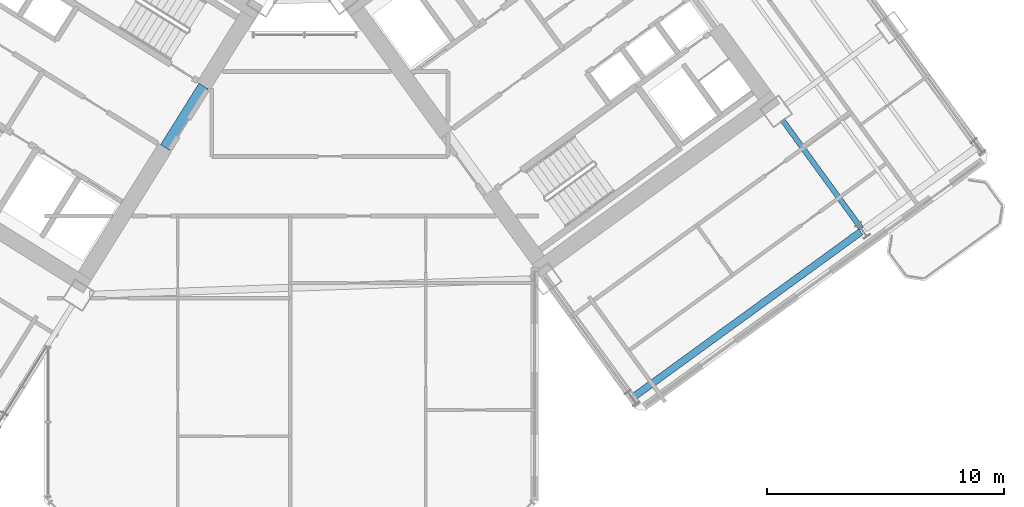
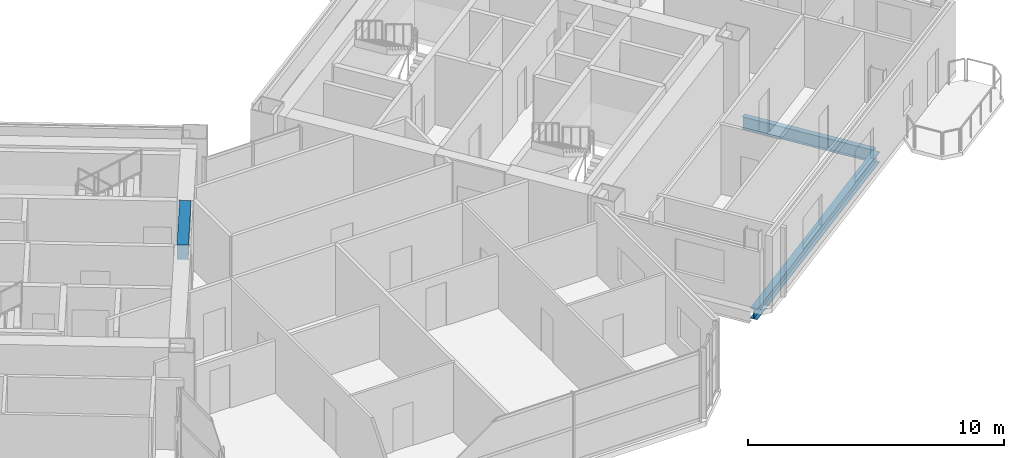
# One storey, part 10 of 28: 3 beams.
"""IFC4 building model written with IfcOpenShell, lengths in metres."""

from ifc_helpers import new_model, si_unit, direction, frame, origin, origin_2d, place, context, subcontext, project, spatial, rectangle, i_section, extrude, source, transform, mapped, material, material_profile, profile_set, type_object, element, save


model = new_model("IFC4")

# Units and contexts
model_context = context("Model", 3, precision=1e-05, world=origin(), true_north=direction((0.0, 1.0)))
body_context = subcontext(model_context, "Body", "Model", "MODEL_VIEW")
ifc_project = project(units=[si_unit("LENGTHUNIT", "METRE"), si_unit("AREAUNIT", "SQUARE_METRE"), si_unit("VOLUMEUNIT", "CUBIC_METRE"), si_unit("PLANEANGLEUNIT", "RADIAN"), si_unit("MASSUNIT", "GRAM", prefix="KILO")], contexts=[model_context])

# Site, building, storey
site_placement = place(None, origin())
site = spatial("IfcSite", under=ifc_project, at=site_placement, CompositionType="ELEMENT")
building_placement = place(site_placement, origin())
building = spatial("IfcBuilding", under=site, at=building_placement, Name="Tlacorven Tower", CompositionType="ELEMENT")
storey_placement = place(building_placement, frame((0.0, 0.0, 27.60009765625)))
storey = spatial("IfcBuildingStorey", under=building, at=storey_placement, Name="L06", CompositionType="ELEMENT", Elevation=27.60009765625)

# Beams
ifc_material_1 = material(Name="Concrete C60/75", Category="concrete")
ifc_material_profile_1 = material_profile(ifc_material_1, rectangle(XDim=0.449951171875, YDim=0.699951171875, at=origin_2d()), Name="RC 450X700")
ifc_profile_set_1 = profile_set([ifc_material_profile_1], Name="Concrete C60/75")
beam_type_1 = type_object("IfcBeamType", Name="BM-LNT-700", PredefinedType="LINTEL", material=ifc_profile_set_1)
shared_shape_1 = source(origin(), body_context, "Body", "SweptSolid", [
    extrude(rectangle(XDim=0.449951171875, YDim=0.699951171875, at=origin_2d()), origin(), (0.0, 0.0, 1.0), 3.050048828125),
])
beam_1_placement = place(storey_placement, frame((38.2998046875, 20.890625, 3.0), z_axis=(-0.529984549635, -0.848007297815, 0.0), x_axis=(0.848007297815, -0.529984549635, 0.0)))
element("IfcBeam", 1, at=beam_1_placement, inside=storey, type_object=beam_type_1, Name="L06 W core coupling lintel beam E1", PredefinedType="LINTEL", context=body_context, shape_type="MappedRepresentation", body=[
    mapped(shared_shape_1, transform((0.0, 0.0, 0.0), scale=1.0)),
])
ifc_material_2 = material(Name="Steel S355J2", Category="steel")
ifc_material_profile_2 = material_profile(ifc_material_2, i_section(OverallWidth=0.219970703125, OverallDepth=0.60009765625, WebThickness=0.011962890625, FlangeThickness=0.01904296875, at=origin_2d()), Name="IPE 600")
ifc_profile_set_2 = profile_set([ifc_material_profile_2], Name="Steel S355J2")
beam_type_2 = type_object("IfcBeamType", Name="BM-TWR-600", PredefinedType="BEAM", material=ifc_profile_set_2)
shared_shape_2 = source(origin(), body_context, "Body", "SweptSolid", [
    extrude(i_section(OverallWidth=0.219970703125, OverallDepth=0.60009765625, WebThickness=0.011962890625, FlangeThickness=0.01904296875, at=origin_2d()), origin(), (0.0, 0.0, 1.0), 5.64990234375),
])
beam_2_placement = place(storey_placement, frame((65.9990234375, 14.891845703125, -0.550048828125), z_axis=(-0.587755393186, 0.809038687444, 0.0), x_axis=(-0.809038687444, -0.587755393186, 0.0)))
element("IfcBeam", 2, at=beam_2_placement, inside=storey, type_object=beam_type_2, Name="L06 beam BM-L06-ET3-1", PredefinedType="BEAM", context=body_context, shape_type="MappedRepresentation", body=[
    mapped(shared_shape_2, transform((0.0, 0.0, 0.0), scale=1.0)),
])
ifc_material_profile_3 = material_profile(ifc_material_2, i_section(OverallWidth=0.300048828125, OverallDepth=0.489990234375, WebThickness=0.011962890625, FlangeThickness=0.02294921875, at=origin_2d()), Name="HEA 500")
ifc_profile_set_3 = profile_set([ifc_material_profile_3], Name="Steel S355J2")
beam_type_3 = type_object("IfcBeamType", Name="BM-SPN-500", PredefinedType="SPANDREL", material=ifc_profile_set_3)
shared_shape_3 = source(origin(), body_context, "Body", "SweptSolid", [
    extrude(i_section(OverallWidth=0.300048828125, OverallDepth=0.489990234375, WebThickness=0.011962890625, FlangeThickness=0.02294921875, at=origin_2d()), origin(), (0.0, 0.0, 1.0), 11.800048828125),
])
beam_3_placement = place(storey_placement, frame((56.4306640625, 7.816162109375, -0.4951171875), z_axis=(0.80900977213, 0.587795192732, 0.0), x_axis=(-0.587795192732, 0.80900977213, 0.0)))
element("IfcBeam", 3, at=beam_3_placement, inside=storey, type_object=beam_type_3, Name="L06 beam BM-L06-EL1-1", PredefinedType="SPANDREL", context=body_context, shape_type="MappedRepresentation", body=[
    mapped(shared_shape_3, transform((0.0, 0.0, 0.0), scale=1.0)),
])

save(model, "model.ifc")
